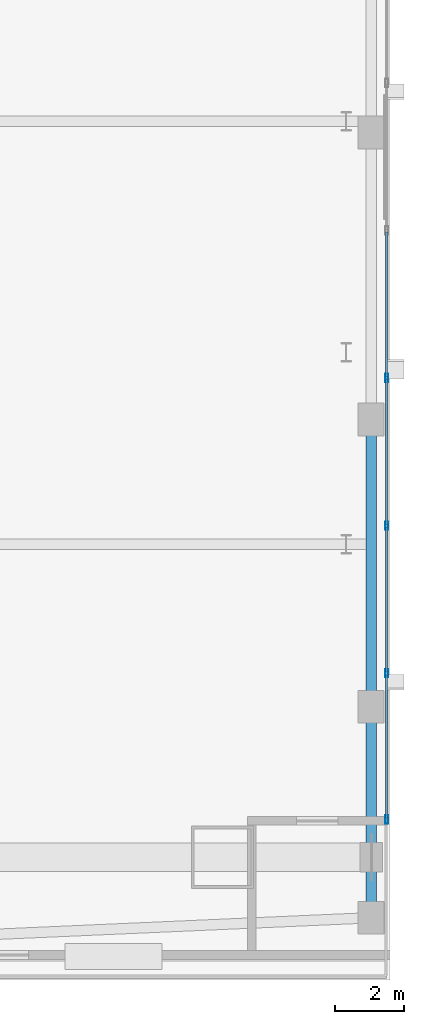
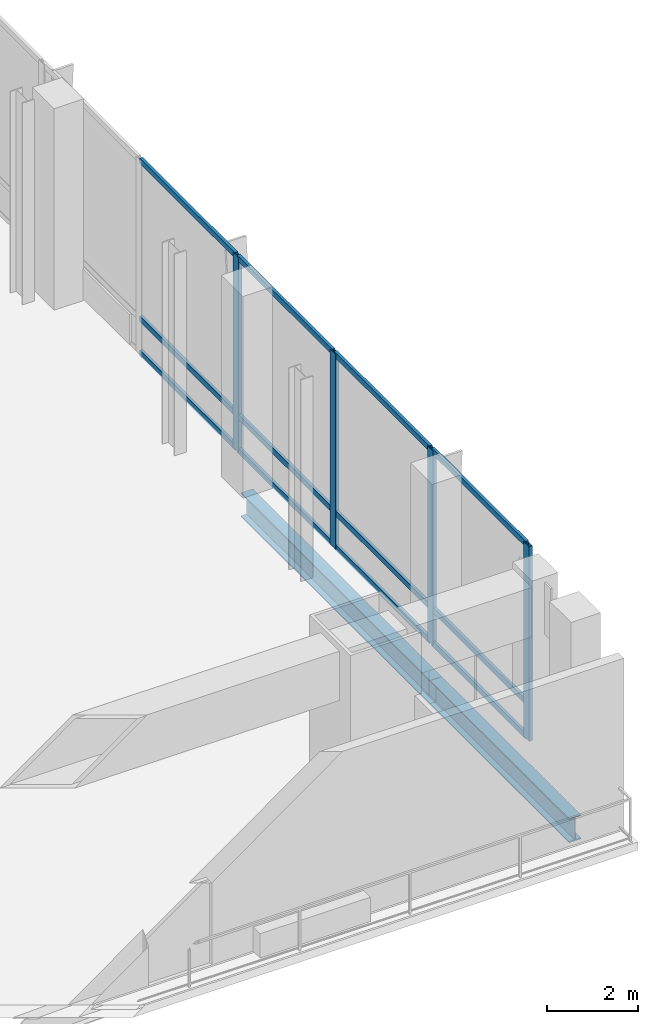
# One storey, part 14 of 26: 16 members, 2 beams, 1 element without a shape of its own.
"""IFC4 building model written with IfcOpenShell, lengths in metres."""

import ifcopenshell
import ifcopenshell.guid

model = None  # the IFC model being written
_history = None  # IfcOwnerHistory: only IFC2X3 demands one
_inside = {}  # id of a spatial element -> (the spatial element, [elements in it])
_under = {}  # id of a project, library or spatial element -> (it, [spatial elements below it])
_declared = {}  # id of a project -> (the project, [libraries it declares])
_typed = {}  # id of a type object -> (the type object, [elements of that type])
_made_of = {}  # id of a material, layer set ... -> (it, [elements and type objects made of it])


def new_model(schema):
    """Start an empty IFC model of exactly this schema.

    Asked for "IFC4X3", IfcOpenShell would pick the latest addendum, in which some entities
    have other attributes; the version numbers below select the first issue.
    IFC2X3 requires an IfcOwnerHistory on every rooted entity: one is made here for all.
    """
    global model, _history
    if schema == "IFC4X3":
        model = ifcopenshell.file(schema_version=(4, 3, 0, 0))
    else:
        model = ifcopenshell.file(schema=schema)
    _inside.clear()
    _under.clear()
    _declared.clear()
    _typed.clear()
    _made_of.clear()
    _history = None
    if model.schema == "IFC2X3":
        org = make("IfcOrganization", Name="unknown")
        user = make(
            "IfcPersonAndOrganization",
            ThePerson=make("IfcPerson", FamilyName="unknown"),
            TheOrganization=org,
        )
        app = make(
            "IfcApplication",
            ApplicationDeveloper=org,
            Version="unknown",
            ApplicationFullName="unknown",
            ApplicationIdentifier="unknown",
        )
        _history = make(
            "IfcOwnerHistory",
            OwningUser=user,
            OwningApplication=app,
            ChangeAction="ADDED",
            CreationDate=0,
        )
    return model


def make(cls, **values):
    """One entity of the class cls with the attributes given. An attribute that is None is left unset."""
    return model.create_entity(
        cls, **{name: value for name, value in values.items() if value is not None}
    )


def rooted(cls, **values):
    """An entity with a GlobalId (a new one), such as an element, a storey or a relation."""
    return make(cls, GlobalId=ifcopenshell.guid.new(), OwnerHistory=_history, **values)


def si_unit(unit_type, name, prefix=None):
    """IfcSIUnit, for example si_unit("LENGTHUNIT", "METRE", prefix="MILLI")."""
    return make("IfcSIUnit", UnitType=unit_type, Prefix=prefix, Name=name)


def assignment(units):
    """IfcUnitAssignment: the units of a project."""
    return None if units is None else make("IfcUnitAssignment", Units=units)


def point(xyz):
    """IfcCartesianPoint."""
    return None if xyz is None else make("IfcCartesianPoint", Coordinates=xyz)


def direction(xyz):
    """IfcDirection."""
    return None if xyz is None else make("IfcDirection", DirectionRatios=xyz)


def frame(location, z_axis=None, x_axis=None):
    """IfcAxis2Placement3D, a coordinate frame: its origin and axes. An axis left out is left unset."""
    return make(
        "IfcAxis2Placement3D",
        Location=point(location),
        Axis=direction(z_axis),
        RefDirection=direction(x_axis),
    )


def frame_2d(location, x_axis=None):
    """IfcAxis2Placement2D, a coordinate frame in the plane: its origin and x axis."""
    return make(
        "IfcAxis2Placement2D", Location=point(location), RefDirection=direction(x_axis)
    )


def origin():
    """The frame at (0, 0, 0) with its axes left unset."""
    return frame((0.0, 0.0, 0.0))


def origin_2d():
    """The frame at (0, 0) in the plane with its x axis left unset."""
    return frame_2d((0.0, 0.0))


def place(relative_to, where):
    """IfcLocalPlacement: puts the frame where relative to a parent placement (None: the world)."""
    return make(
        "IfcLocalPlacement", PlacementRelTo=relative_to, RelativePlacement=where
    )


def context(
    kind, dimensions, precision=None, world=None, true_north=None, identifier=None
):
    """IfcGeometricRepresentationContext, for example the 3D "Model" context."""
    return make(
        "IfcGeometricRepresentationContext",
        ContextIdentifier=identifier,
        ContextType=kind,
        CoordinateSpaceDimension=dimensions,
        Precision=precision,
        WorldCoordinateSystem=world,
        TrueNorth=true_north,
    )


def subcontext(parent, identifier, kind, view, scale=None):
    """IfcGeometricRepresentationSubContext, for example "Body" below "Model"."""
    return make(
        "IfcGeometricRepresentationSubContext",
        ContextIdentifier=identifier,
        ContextType=kind,
        ParentContext=parent,
        TargetScale=scale,
        TargetView=view,
    )


def project(units=None, contexts=None):
    """IfcProject with its units and contexts."""
    return rooted(
        "IfcProject",
        Name="project",
        RepresentationContexts=contexts,
        UnitsInContext=assignment(units),
    )


def spatial(cls, under=None, at=None, **own):
    """A site, building, storey or space (cls), placed at a placement, below another one or the project."""
    s = rooted(cls, ObjectPlacement=at, **own)
    if under is not None:
        _under.setdefault(under.id(), (under, []))[1].append(s)
    return s


def profile(cls, at=None, kind="AREA", **sizes):
    """A parametric profile (cls). Its sizes go by their IFC names, for example OverallWidth=200.0."""
    return make(cls, ProfileType=kind, Position=at, **sizes)


def hollow_rectangle(**sizes):
    """IfcRectangleHollowProfileDef."""
    return profile("IfcRectangleHollowProfileDef", **sizes)


def i_section(**sizes):
    """IfcIShapeProfileDef."""
    return profile("IfcIShapeProfileDef", **sizes)


def extrude(swept, where, along, depth):
    """IfcExtrudedAreaSolid: the profile swept, set in the frame where, extruded along a direction by depth."""
    return make(
        "IfcExtrudedAreaSolid",
        SweptArea=swept,
        Position=where,
        ExtrudedDirection=direction(along),
        Depth=depth,
    )


def shape(context_of_items, identifier, shape_type, items):
    """IfcShapeRepresentation: the items that make up one representation, for example the "Body"."""
    return make(
        "IfcShapeRepresentation",
        ContextOfItems=context_of_items,
        RepresentationIdentifier=identifier,
        RepresentationType=shape_type,
        Items=items,
    )


def material(Name=None, Category=None):
    """IfcMaterial."""
    return make("IfcMaterial", Name=Name, Category=Category)


def material_profile(
    of_material, cross_section, Name=None, Category=None, Priority=None
):
    """IfcMaterialProfile: a cross section and its material."""
    return make(
        "IfcMaterialProfile",
        Name=Name,
        Material=of_material,
        Profile=cross_section,
        Priority=Priority,
        Category=Category,
    )


def profile_set(profiles, Name=None, composite=None):
    """IfcMaterialProfileSet."""
    return make(
        "IfcMaterialProfileSet",
        Name=Name,
        MaterialProfiles=profiles,
        CompositeProfile=composite,
    )


def made_of(thing, what):
    """Note that an element or type object is made of a material, layer set ...; save() writes the relation."""
    if what is not None:
        _made_of.setdefault(what.id(), (what, []))[1].append(thing)
    return thing


def type_object(cls, material=None, **own):
    """A type object (cls), such as IfcWallType, which elements share."""
    return made_of(rooted(cls, **own), material)


def element(
    cls,
    number,
    at=None,
    inside=None,
    cuts=None,
    type_object=None,
    material=None,
    context=None,
    identifier="Body",
    shape_type=None,
    held_by="IfcProductDefinitionShape",
    body=None,
    shapes=None,
    **own,
):
    """One element of the class cls, such as IfcWall. Its Tag is "e" and its number.

    at: its placement. inside: the storey or other place that contains it. cuts: it is an
    opening in that element (IfcRelVoidsElement). A single representation is given by context,
    identifier, shape_type and body (its items); several are given by shapes. held_by: the class
    of the entity that holds the representations. save() writes the other relations.
    """
    e = rooted(cls, Tag="e%d" % number, ObjectPlacement=at, **own)
    if body is not None:
        shapes = [shape(context, identifier, shape_type, body)]
    if shapes is not None:
        e.Representation = make(held_by, Representations=shapes)
    if inside is not None:
        _inside.setdefault(inside.id(), (inside, []))[1].append(e)
    if cuts is not None:
        rooted(
            "IfcRelVoidsElement", RelatingBuildingElement=cuts, RelatedOpeningElement=e
        )
    if type_object is not None:
        _typed.setdefault(type_object.id(), (type_object, []))[1].append(e)
    return made_of(e, material)


def aggregate(whole, parts):
    """IfcRelAggregates: a whole, such as a stair, and the parts it consists of."""
    return rooted("IfcRelAggregates", RelatingObject=whole, RelatedObjects=parts)


def save(model, path):
    """Write the relations noted so far, then the file.

    IfcRelAggregates (storeys below a building ...), IfcRelContainedInSpatialStructure (elements
    in a storey), IfcRelDefinesByType, IfcRelAssociatesMaterial and IfcRelDeclares: one each for
    every whole, place, type object, material and project.
    """
    for whole, parts in _under.values():
        aggregate(whole, parts)
    for where, things in _inside.values():
        rooted(
            "IfcRelContainedInSpatialStructure",
            RelatedElements=things,
            RelatingStructure=where,
        )
    for kind, things in _typed.values():
        rooted("IfcRelDefinesByType", RelatedObjects=things, RelatingType=kind)
    for what, things in _made_of.values():
        rooted("IfcRelAssociatesMaterial", RelatedObjects=things, RelatingMaterial=what)
    for by, libraries in _declared.values():
        rooted("IfcRelDeclares", RelatingContext=by, RelatedDefinitions=libraries)
    model.write(path)


model = new_model("IFC4")

# Units and contexts
model_context = context("Model", 3, precision=1e-05, world=origin(), true_north=direction((0.0, 1.0)))
body_context = subcontext(model_context, "Body", "Model", "MODEL_VIEW")
ifc_project = project(units=[si_unit("LENGTHUNIT", "METRE"), si_unit("AREAUNIT", "SQUARE_METRE"), si_unit("VOLUMEUNIT", "CUBIC_METRE"), si_unit("PLANEANGLEUNIT", "RADIAN"), si_unit("MASSUNIT", "GRAM", prefix="KILO")], contexts=[model_context])

# Site, building, storey
site_placement = place(None, origin())
site = spatial("IfcSite", under=ifc_project, at=site_placement, CompositionType="ELEMENT")
building_placement = place(site_placement, origin())
building = spatial("IfcBuilding", under=site, at=building_placement, Name="Khoronbel Lancet Exchange", CompositionType="ELEMENT")
storey_placement = place(building_placement, frame((0.0, 0.0, 20.39990234375)))
storey = spatial("IfcBuildingStorey", under=building, at=storey_placement, Name="L04", CompositionType="ELEMENT", Elevation=20.39990234375)

# Beams
ifc_material_1 = material(Name="Steel S355", Category="steel")
ifc_material_profile_1 = material_profile(ifc_material_1, i_section(OverallWidth=0.300048828125, OverallDepth=0.64990234375, WebThickness=0.01611328125, FlangeThickness=0.031005859375, at=origin_2d()), Name="HEB 650")
ifc_profile_set_1 = profile_set([ifc_material_profile_1], Name="Steel S355")
beam_type = type_object("IfcBeamType", Name="BM-BSP1", PredefinedType="SPANDREL", material=ifc_profile_set_1)
beam_1_placement = place(storey_placement, frame((72.35009765625, 8.39990234375, -0.544921875), z_axis=(0.0, 1.0, 0.0), x_axis=(-1.0, 0.0, 0.0)))
element("IfcBeam", 1, at=beam_1_placement, inside=storey, type_object=beam_type, Name="Level L04 perimeter spandrel beam SP08", PredefinedType="SPANDREL", context=body_context, shape_type="SweptSolid", body=[
    extrude(i_section(OverallWidth=0.300048828125, OverallDepth=0.64990234375, WebThickness=0.01611328125, FlangeThickness=0.031005859375, at=origin_2d()), origin(), (0.0, 0.0, 1.0), 6.10009765625),
])
beam_2_placement = place(storey_placement, frame((72.35009765625, 14.5, -0.544921875), z_axis=(0.0, 1.0, 0.0), x_axis=(-1.0, 0.0, 0.0)))
element("IfcBeam", 2, at=beam_2_placement, inside=storey, type_object=beam_type, Name="Level L04 perimeter spandrel beam SP09", PredefinedType="SPANDREL", context=body_context, shape_type="SweptSolid", body=[
    extrude(i_section(OverallWidth=0.300048828125, OverallDepth=0.64990234375, WebThickness=0.01611328125, FlangeThickness=0.031005859375, at=origin_2d()), origin(), (0.0, 0.0, 1.0), 8.300048828125),
])

# Curtain wall, members
ifc_material_2 = material(Name="Low-E Solar Control Insulating Glass", Category="glass")
curtain_wall_type = type_object("IfcCurtainWallType", Name="CW-5", PredefinedType="NOTDEFINED", material=ifc_material_2)
curtain_wall_placement = place(storey_placement, origin())
curtain_wall = element("IfcCurtainWall", 3, at=curtain_wall_placement, inside=storey, type_object=curtain_wall_type, Name="Unitised curtain wall CW-L04-EAST", PredefinedType="NOTDEFINED")
ifc_material_3 = material(Name="Bronze-Anodised Aluminium 6063-T6", Category="aluminium")
ifc_material_profile_2 = material_profile(ifc_material_3, hollow_rectangle(XDim=0.0849609375, YDim=0.239990234375, WallThickness=0.006103515625, at=origin_2d()), Name="ALU MULLION 85x240")
ifc_profile_set_2 = profile_set([ifc_material_profile_2], Name="Bronze-Anodised Aluminium 6063-T6")
member_type_1 = type_object("IfcMemberType", Name="MEM-CWM1", PredefinedType="MULLION", material=ifc_profile_set_2)
member_1_placement = place(storey_placement, frame((72.800048828125, 11.242431640625, 0.0), z_axis=(0.0, 0.0, 1.0), x_axis=(-1.0, 0.0, 0.0)))
member_1 = element("IfcMember", 4, at=member_1_placement, type_object=member_type_1, Name="CW5 mullion 1", PredefinedType="MULLION", context=body_context, shape_type="SweptSolid", body=[
    extrude(hollow_rectangle(XDim=0.0849609375, YDim=0.239990234375, WallThickness=0.006103515625, at=origin_2d()), origin(), (0.0, 0.0, 1.0), 5.22021484375),
])
member_2_placement = place(storey_placement, frame((72.800048828125, 15.466552734375, 0.0), z_axis=(0.0, 0.0, 1.0), x_axis=(-1.0, 0.0, 0.0)))
member_2 = element("IfcMember", 5, at=member_2_placement, type_object=member_type_1, Name="CW5 mullion 2", PredefinedType="MULLION", context=body_context, shape_type="SweptSolid", body=[
    extrude(hollow_rectangle(XDim=0.0849609375, YDim=0.239990234375, WallThickness=0.006103515625, at=origin_2d()), origin(), (0.0, 0.0, 1.0), 5.22021484375),
])
member_3_placement = place(storey_placement, frame((72.800048828125, 19.7333984375, 0.0), z_axis=(0.0, 0.0, 1.0), x_axis=(-1.0, 0.0, 0.0)))
member_3 = element("IfcMember", 6, at=member_3_placement, type_object=member_type_1, Name="CW5 mullion 3", PredefinedType="MULLION", context=body_context, shape_type="SweptSolid", body=[
    extrude(hollow_rectangle(XDim=0.0849609375, YDim=0.239990234375, WallThickness=0.006103515625, at=origin_2d()), origin(), (0.0, 0.0, 1.0), 5.22021484375),
])
member_4_placement = place(storey_placement, frame((72.800048828125, 24.0, 0.0), z_axis=(0.0, 0.0, 1.0), x_axis=(-1.0, 0.0, 0.0)))
member_4 = element("IfcMember", 7, at=member_4_placement, type_object=member_type_1, Name="CW5 mullion 4", PredefinedType="MULLION", context=body_context, shape_type="SweptSolid", body=[
    extrude(hollow_rectangle(XDim=0.0849609375, YDim=0.239990234375, WallThickness=0.006103515625, at=origin_2d()), origin(), (0.0, 0.0, 1.0), 5.22021484375),
])
ifc_material_profile_3 = material_profile(ifc_material_3, hollow_rectangle(XDim=0.074951171875, YDim=0.14990234375, WallThickness=0.00439453125, at=origin_2d()), Name="ALU TRANSOM 75x150")
ifc_profile_set_3 = profile_set([ifc_material_profile_3], Name="Bronze-Anodised Aluminium 6063-T6")
member_type_2 = type_object("IfcMemberType", Name="MEM-CWT2", PredefinedType="USERDEFINED", material=ifc_profile_set_3)
member_5_placement = place(storey_placement, frame((72.800048828125, 11.284912109375, 0.03759765625), z_axis=(0.0, 1.0, 0.0), x_axis=(-1.0, 0.0, 0.0)))
member_5 = element("IfcMember", 8, at=member_5_placement, type_object=member_type_2, Name="CW5 transom 1.1", ObjectType="TRANSOM", PredefinedType="USERDEFINED", context=body_context, shape_type="SweptSolid", body=[
    extrude(hollow_rectangle(XDim=0.074951171875, YDim=0.14990234375, WallThickness=0.00439453125, at=origin_2d()), origin(), (0.0, 0.0, 1.0), 4.13916015625),
])
member_6_placement = place(storey_placement, frame((72.800048828125, 11.284912109375, 0.9501953125), z_axis=(0.0, 1.0, 0.0), x_axis=(-1.0, 0.0, 0.0)))
member_6 = element("IfcMember", 9, at=member_6_placement, type_object=member_type_2, Name="CW5 transom 1.2", ObjectType="TRANSOM", PredefinedType="USERDEFINED", context=body_context, shape_type="SweptSolid", body=[
    extrude(hollow_rectangle(XDim=0.074951171875, YDim=0.14990234375, WallThickness=0.00439453125, at=origin_2d()), origin(), (0.0, 0.0, 1.0), 4.13916015625),
])
member_7_placement = place(storey_placement, frame((72.800048828125, 11.284912109375, 5.1826171875), z_axis=(0.0, 1.0, 0.0), x_axis=(-1.0, 0.0, 0.0)))
member_7 = element("IfcMember", 10, at=member_7_placement, type_object=member_type_2, Name="CW5 transom 1.3", ObjectType="TRANSOM", PredefinedType="USERDEFINED", context=body_context, shape_type="SweptSolid", body=[
    extrude(hollow_rectangle(XDim=0.074951171875, YDim=0.14990234375, WallThickness=0.00439453125, at=origin_2d()), origin(), (0.0, 0.0, 1.0), 4.13916015625),
])
member_8_placement = place(storey_placement, frame((72.800048828125, 15.50927734375, 0.03759765625), z_axis=(0.0, 1.0, 0.0), x_axis=(-1.0, 0.0, 0.0)))
member_8 = element("IfcMember", 11, at=member_8_placement, type_object=member_type_2, Name="CW5 transom 2.1", ObjectType="TRANSOM", PredefinedType="USERDEFINED", context=body_context, shape_type="SweptSolid", body=[
    extrude(hollow_rectangle(XDim=0.074951171875, YDim=0.14990234375, WallThickness=0.00439453125, at=origin_2d()), origin(), (0.0, 0.0, 1.0), 4.181640625),
])
member_9_placement = place(storey_placement, frame((72.800048828125, 15.50927734375, 0.9501953125), z_axis=(0.0, 1.0, 0.0), x_axis=(-1.0, 0.0, 0.0)))
member_9 = element("IfcMember", 12, at=member_9_placement, type_object=member_type_2, Name="CW5 transom 2.2", ObjectType="TRANSOM", PredefinedType="USERDEFINED", context=body_context, shape_type="SweptSolid", body=[
    extrude(hollow_rectangle(XDim=0.074951171875, YDim=0.14990234375, WallThickness=0.00439453125, at=origin_2d()), origin(), (0.0, 0.0, 1.0), 4.181640625),
])
member_10_placement = place(storey_placement, frame((72.800048828125, 15.50927734375, 5.1826171875), z_axis=(0.0, 1.0, 0.0), x_axis=(-1.0, 0.0, 0.0)))
member_10 = element("IfcMember", 13, at=member_10_placement, type_object=member_type_2, Name="CW5 transom 2.3", ObjectType="TRANSOM", PredefinedType="USERDEFINED", context=body_context, shape_type="SweptSolid", body=[
    extrude(hollow_rectangle(XDim=0.074951171875, YDim=0.14990234375, WallThickness=0.00439453125, at=origin_2d()), origin(), (0.0, 0.0, 1.0), 4.181640625),
])
member_11_placement = place(storey_placement, frame((72.800048828125, 19.77587890625, 0.03759765625), z_axis=(0.0, 1.0, 0.0), x_axis=(-1.0, 0.0, 0.0)))
member_11 = element("IfcMember", 14, at=member_11_placement, type_object=member_type_2, Name="CW5 transom 3.1", ObjectType="TRANSOM", PredefinedType="USERDEFINED", context=body_context, shape_type="SweptSolid", body=[
    extrude(hollow_rectangle(XDim=0.074951171875, YDim=0.14990234375, WallThickness=0.00439453125, at=origin_2d()), origin(), (0.0, 0.0, 1.0), 4.181640625),
])
member_12_placement = place(storey_placement, frame((72.800048828125, 19.77587890625, 0.9501953125), z_axis=(0.0, 1.0, 0.0), x_axis=(-1.0, 0.0, 0.0)))
member_12 = element("IfcMember", 15, at=member_12_placement, type_object=member_type_2, Name="CW5 transom 3.2", ObjectType="TRANSOM", PredefinedType="USERDEFINED", context=body_context, shape_type="SweptSolid", body=[
    extrude(hollow_rectangle(XDim=0.074951171875, YDim=0.14990234375, WallThickness=0.00439453125, at=origin_2d()), origin(), (0.0, 0.0, 1.0), 4.181640625),
])
member_13_placement = place(storey_placement, frame((72.800048828125, 19.77587890625, 5.1826171875), z_axis=(0.0, 1.0, 0.0), x_axis=(-1.0, 0.0, 0.0)))
member_13 = element("IfcMember", 16, at=member_13_placement, type_object=member_type_2, Name="CW5 transom 3.3", ObjectType="TRANSOM", PredefinedType="USERDEFINED", context=body_context, shape_type="SweptSolid", body=[
    extrude(hollow_rectangle(XDim=0.074951171875, YDim=0.14990234375, WallThickness=0.00439453125, at=origin_2d()), origin(), (0.0, 0.0, 1.0), 4.181640625),
])
member_14_placement = place(storey_placement, frame((72.800048828125, 24.04248046875, 0.03759765625), z_axis=(0.0, 1.0, 0.0), x_axis=(-1.0, 0.0, 0.0)))
member_14 = element("IfcMember", 17, at=member_14_placement, type_object=member_type_2, Name="CW5 transom 4.1", ObjectType="TRANSOM", PredefinedType="USERDEFINED", context=body_context, shape_type="SweptSolid", body=[
    extrude(hollow_rectangle(XDim=0.074951171875, YDim=0.14990234375, WallThickness=0.00439453125, at=origin_2d()), origin(), (0.0, 0.0, 1.0), 4.181640625),
])
member_15_placement = place(storey_placement, frame((72.800048828125, 24.04248046875, 0.9501953125), z_axis=(0.0, 1.0, 0.0), x_axis=(-1.0, 0.0, 0.0)))
member_15 = element("IfcMember", 18, at=member_15_placement, type_object=member_type_2, Name="CW5 transom 4.2", ObjectType="TRANSOM", PredefinedType="USERDEFINED", context=body_context, shape_type="SweptSolid", body=[
    extrude(hollow_rectangle(XDim=0.074951171875, YDim=0.14990234375, WallThickness=0.00439453125, at=origin_2d()), origin(), (0.0, 0.0, 1.0), 4.181640625),
])
member_16_placement = place(storey_placement, frame((72.800048828125, 24.04248046875, 5.1826171875), z_axis=(0.0, 1.0, 0.0), x_axis=(-1.0, 0.0, 0.0)))
member_16 = element("IfcMember", 19, at=member_16_placement, type_object=member_type_2, Name="CW5 transom 4.3", ObjectType="TRANSOM", PredefinedType="USERDEFINED", context=body_context, shape_type="SweptSolid", body=[
    extrude(hollow_rectangle(XDim=0.074951171875, YDim=0.14990234375, WallThickness=0.00439453125, at=origin_2d()), origin(), (0.0, 0.0, 1.0), 4.181640625),
])
aggregate(curtain_wall, [member_1, member_2, member_3, member_4, member_5, member_6, member_7, member_8, member_9, member_10, member_11, member_12, member_13, member_14, member_15, member_16])

save(model, "model.ifc")
